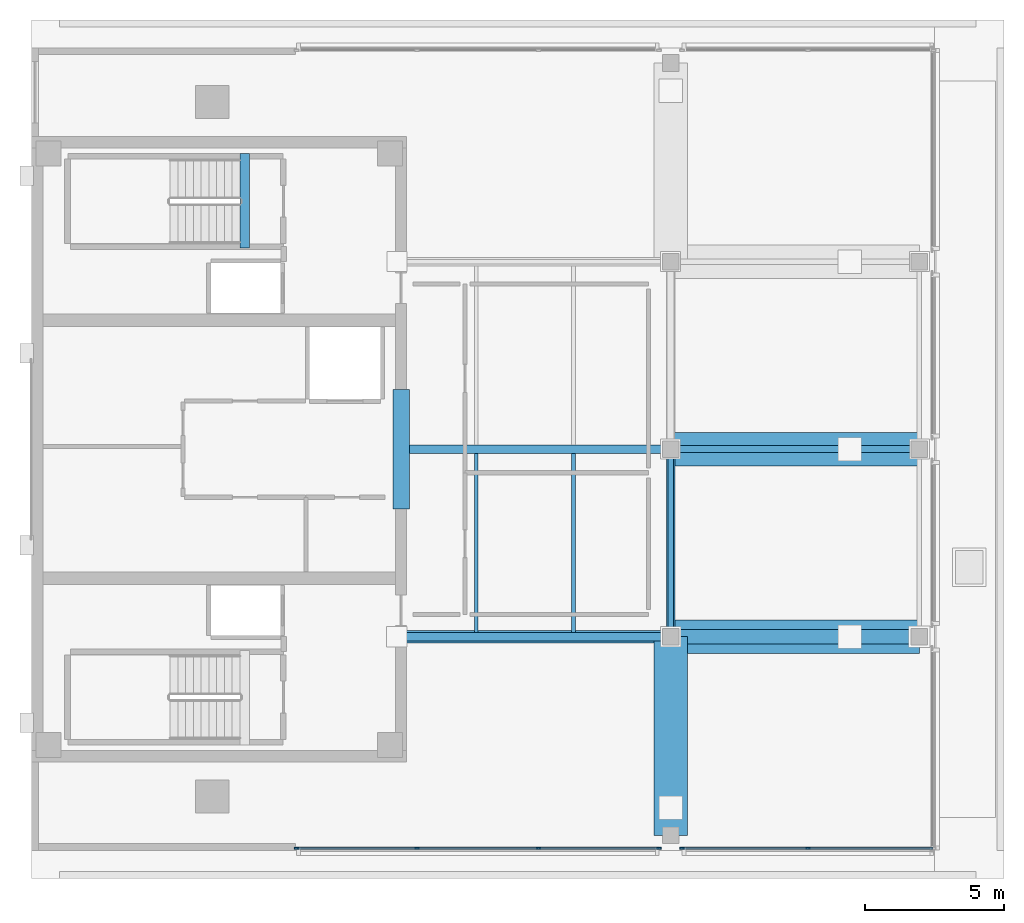
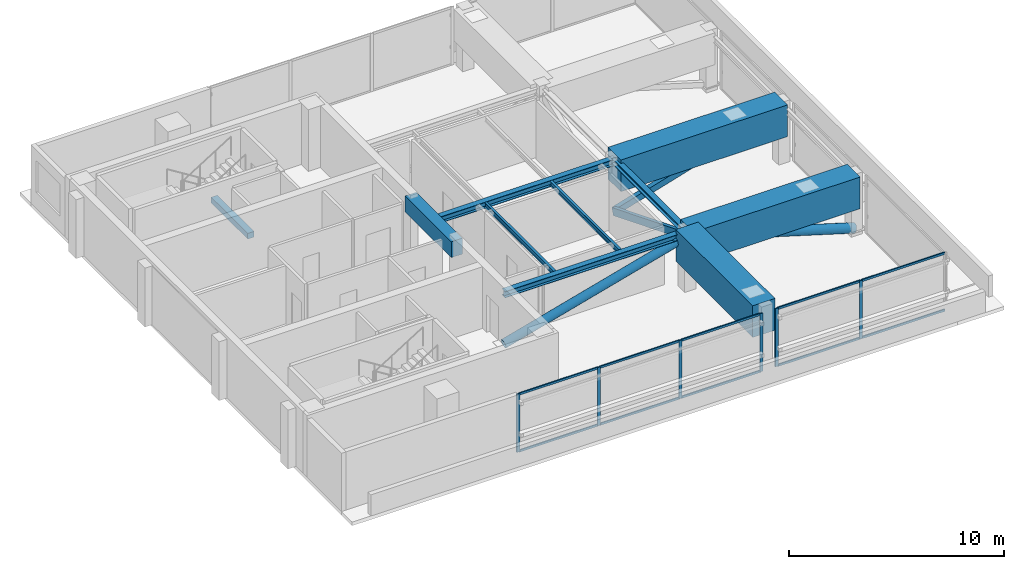
# One storey, part 2 of 10: 20 members, 10 beams, 2 elements without a shape of their own.
"""IFC4 building model written with IfcOpenShell, lengths in metres."""

import ifcopenshell
import ifcopenshell.guid

model = None  # the IFC model being written
_history = None  # IfcOwnerHistory: only IFC2X3 demands one
_inside = {}  # id of a spatial element -> (the spatial element, [elements in it])
_under = {}  # id of a project, library or spatial element -> (it, [spatial elements below it])
_declared = {}  # id of a project -> (the project, [libraries it declares])
_typed = {}  # id of a type object -> (the type object, [elements of that type])
_made_of = {}  # id of a material, layer set ... -> (it, [elements and type objects made of it])


def new_model(schema):
    """Start an empty IFC model of exactly this schema.

    Asked for "IFC4X3", IfcOpenShell would pick the latest addendum, in which some entities
    have other attributes; the version numbers below select the first issue.
    IFC2X3 requires an IfcOwnerHistory on every rooted entity: one is made here for all.
    """
    global model, _history
    if schema == "IFC4X3":
        model = ifcopenshell.file(schema_version=(4, 3, 0, 0))
    else:
        model = ifcopenshell.file(schema=schema)
    _inside.clear()
    _under.clear()
    _declared.clear()
    _typed.clear()
    _made_of.clear()
    _history = None
    if model.schema == "IFC2X3":
        org = make("IfcOrganization", Name="unknown")
        user = make(
            "IfcPersonAndOrganization",
            ThePerson=make("IfcPerson", FamilyName="unknown"),
            TheOrganization=org,
        )
        app = make(
            "IfcApplication",
            ApplicationDeveloper=org,
            Version="unknown",
            ApplicationFullName="unknown",
            ApplicationIdentifier="unknown",
        )
        _history = make(
            "IfcOwnerHistory",
            OwningUser=user,
            OwningApplication=app,
            ChangeAction="ADDED",
            CreationDate=0,
        )
    return model


def make(cls, **values):
    """One entity of the class cls with the attributes given. An attribute that is None is left unset."""
    return model.create_entity(
        cls, **{name: value for name, value in values.items() if value is not None}
    )


def rooted(cls, **values):
    """An entity with a GlobalId (a new one), such as an element, a storey or a relation."""
    return make(cls, GlobalId=ifcopenshell.guid.new(), OwnerHistory=_history, **values)


def si_unit(unit_type, name, prefix=None):
    """IfcSIUnit, for example si_unit("LENGTHUNIT", "METRE", prefix="MILLI")."""
    return make("IfcSIUnit", UnitType=unit_type, Prefix=prefix, Name=name)


def assignment(units):
    """IfcUnitAssignment: the units of a project."""
    return None if units is None else make("IfcUnitAssignment", Units=units)


def point(xyz):
    """IfcCartesianPoint."""
    return None if xyz is None else make("IfcCartesianPoint", Coordinates=xyz)


def direction(xyz):
    """IfcDirection."""
    return None if xyz is None else make("IfcDirection", DirectionRatios=xyz)


def frame(location, z_axis=None, x_axis=None):
    """IfcAxis2Placement3D, a coordinate frame: its origin and axes. An axis left out is left unset."""
    return make(
        "IfcAxis2Placement3D",
        Location=point(location),
        Axis=direction(z_axis),
        RefDirection=direction(x_axis),
    )


def frame_2d(location, x_axis=None):
    """IfcAxis2Placement2D, a coordinate frame in the plane: its origin and x axis."""
    return make(
        "IfcAxis2Placement2D", Location=point(location), RefDirection=direction(x_axis)
    )


def origin():
    """The frame at (0, 0, 0) with its axes left unset."""
    return frame((0.0, 0.0, 0.0))


def origin_2d():
    """The frame at (0, 0) in the plane with its x axis left unset."""
    return frame_2d((0.0, 0.0))


def place(relative_to, where):
    """IfcLocalPlacement: puts the frame where relative to a parent placement (None: the world)."""
    return make(
        "IfcLocalPlacement", PlacementRelTo=relative_to, RelativePlacement=where
    )


def context(
    kind, dimensions, precision=None, world=None, true_north=None, identifier=None
):
    """IfcGeometricRepresentationContext, for example the 3D "Model" context."""
    return make(
        "IfcGeometricRepresentationContext",
        ContextIdentifier=identifier,
        ContextType=kind,
        CoordinateSpaceDimension=dimensions,
        Precision=precision,
        WorldCoordinateSystem=world,
        TrueNorth=true_north,
    )


def subcontext(parent, identifier, kind, view, scale=None):
    """IfcGeometricRepresentationSubContext, for example "Body" below "Model"."""
    return make(
        "IfcGeometricRepresentationSubContext",
        ContextIdentifier=identifier,
        ContextType=kind,
        ParentContext=parent,
        TargetScale=scale,
        TargetView=view,
    )


def project(units=None, contexts=None):
    """IfcProject with its units and contexts."""
    return rooted(
        "IfcProject",
        Name="project",
        RepresentationContexts=contexts,
        UnitsInContext=assignment(units),
    )


def spatial(cls, under=None, at=None, **own):
    """A site, building, storey or space (cls), placed at a placement, below another one or the project."""
    s = rooted(cls, ObjectPlacement=at, **own)
    if under is not None:
        _under.setdefault(under.id(), (under, []))[1].append(s)
    return s


def profile(cls, at=None, kind="AREA", **sizes):
    """A parametric profile (cls). Its sizes go by their IFC names, for example OverallWidth=200.0."""
    return make(cls, ProfileType=kind, Position=at, **sizes)


def rectangle(**sizes):
    """IfcRectangleProfileDef."""
    return profile("IfcRectangleProfileDef", **sizes)


def hollow_rectangle(**sizes):
    """IfcRectangleHollowProfileDef."""
    return profile("IfcRectangleHollowProfileDef", **sizes)


def hollow_circle(**sizes):
    """IfcCircleHollowProfileDef."""
    return profile("IfcCircleHollowProfileDef", **sizes)


def i_section(**sizes):
    """IfcIShapeProfileDef."""
    return profile("IfcIShapeProfileDef", **sizes)


def extrude(swept, where, along, depth):
    """IfcExtrudedAreaSolid: the profile swept, set in the frame where, extruded along a direction by depth."""
    return make(
        "IfcExtrudedAreaSolid",
        SweptArea=swept,
        Position=where,
        ExtrudedDirection=direction(along),
        Depth=depth,
    )


def shape(context_of_items, identifier, shape_type, items):
    """IfcShapeRepresentation: the items that make up one representation, for example the "Body"."""
    return make(
        "IfcShapeRepresentation",
        ContextOfItems=context_of_items,
        RepresentationIdentifier=identifier,
        RepresentationType=shape_type,
        Items=items,
    )


def material(Name=None, Category=None):
    """IfcMaterial."""
    return make("IfcMaterial", Name=Name, Category=Category)


def layer(
    of_material, thickness, ventilated=None, Name=None, Category=None, Priority=None
):
    """IfcMaterialLayer: one layer of a wall or slab, of a material (None: an air gap)."""
    return make(
        "IfcMaterialLayer",
        Material=of_material,
        LayerThickness=thickness,
        IsVentilated=ventilated,
        Name=Name,
        Category=Category,
        Priority=Priority,
    )


def layer_set(layers, Name=None):
    """IfcMaterialLayerSet."""
    return make("IfcMaterialLayerSet", MaterialLayers=layers, LayerSetName=Name)


def material_profile(
    of_material, cross_section, Name=None, Category=None, Priority=None
):
    """IfcMaterialProfile: a cross section and its material."""
    return make(
        "IfcMaterialProfile",
        Name=Name,
        Material=of_material,
        Profile=cross_section,
        Priority=Priority,
        Category=Category,
    )


def profile_set(profiles, Name=None, composite=None):
    """IfcMaterialProfileSet."""
    return make(
        "IfcMaterialProfileSet",
        Name=Name,
        MaterialProfiles=profiles,
        CompositeProfile=composite,
    )


def made_of(thing, what):
    """Note that an element or type object is made of a material, layer set ...; save() writes the relation."""
    if what is not None:
        _made_of.setdefault(what.id(), (what, []))[1].append(thing)
    return thing


def type_object(cls, material=None, **own):
    """A type object (cls), such as IfcWallType, which elements share."""
    return made_of(rooted(cls, **own), material)


def element(
    cls,
    number,
    at=None,
    inside=None,
    cuts=None,
    type_object=None,
    material=None,
    context=None,
    identifier="Body",
    shape_type=None,
    held_by="IfcProductDefinitionShape",
    body=None,
    shapes=None,
    **own,
):
    """One element of the class cls, such as IfcWall. Its Tag is "e" and its number.

    at: its placement. inside: the storey or other place that contains it. cuts: it is an
    opening in that element (IfcRelVoidsElement). A single representation is given by context,
    identifier, shape_type and body (its items); several are given by shapes. held_by: the class
    of the entity that holds the representations. save() writes the other relations.
    """
    e = rooted(cls, Tag="e%d" % number, ObjectPlacement=at, **own)
    if body is not None:
        shapes = [shape(context, identifier, shape_type, body)]
    if shapes is not None:
        e.Representation = make(held_by, Representations=shapes)
    if inside is not None:
        _inside.setdefault(inside.id(), (inside, []))[1].append(e)
    if cuts is not None:
        rooted(
            "IfcRelVoidsElement", RelatingBuildingElement=cuts, RelatedOpeningElement=e
        )
    if type_object is not None:
        _typed.setdefault(type_object.id(), (type_object, []))[1].append(e)
    return made_of(e, material)


def aggregate(whole, parts):
    """IfcRelAggregates: a whole, such as a stair, and the parts it consists of."""
    return rooted("IfcRelAggregates", RelatingObject=whole, RelatedObjects=parts)


def save(model, path):
    """Write the relations noted so far, then the file.

    IfcRelAggregates (storeys below a building ...), IfcRelContainedInSpatialStructure (elements
    in a storey), IfcRelDefinesByType, IfcRelAssociatesMaterial and IfcRelDeclares: one each for
    every whole, place, type object, material and project.
    """
    for whole, parts in _under.values():
        aggregate(whole, parts)
    for where, things in _inside.values():
        rooted(
            "IfcRelContainedInSpatialStructure",
            RelatedElements=things,
            RelatingStructure=where,
        )
    for kind, things in _typed.values():
        rooted("IfcRelDefinesByType", RelatedObjects=things, RelatingType=kind)
    for what, things in _made_of.values():
        rooted("IfcRelAssociatesMaterial", RelatedObjects=things, RelatingMaterial=what)
    for by, libraries in _declared.values():
        rooted("IfcRelDeclares", RelatingContext=by, RelatedDefinitions=libraries)
    model.write(path)


model = new_model("IFC4")

# Units and contexts
model_context = context("Model", 3, precision=1e-05, world=origin(), true_north=direction((0.0, 1.0)))
body_context = subcontext(model_context, "Body", "Model", "MODEL_VIEW")
ifc_project = project(units=[si_unit("LENGTHUNIT", "METRE"), si_unit("AREAUNIT", "SQUARE_METRE"), si_unit("VOLUMEUNIT", "CUBIC_METRE"), si_unit("PLANEANGLEUNIT", "RADIAN"), si_unit("MASSUNIT", "GRAM", prefix="KILO")], contexts=[model_context])

# Site, building, storey
site_placement = place(None, origin())
site = spatial("IfcSite", under=ifc_project, at=site_placement, CompositionType="ELEMENT")
building_placement = place(site_placement, origin())
building = spatial("IfcBuilding", under=site, at=building_placement, Name="Kinhvarn Gate Tower", CompositionType="ELEMENT")
storey_placement = place(building_placement, frame((0.0, 0.0, 311.050048828125)))
storey = spatial("IfcBuildingStorey", under=building, at=storey_placement, Name="L82", CompositionType="ELEMENT", Elevation=311.050048828125)

# Beams
ifc_material_1 = material(Name="Concrete C60/75", Category="concrete")
ifc_material_profile_1 = material_profile(ifc_material_1, rectangle(XDim=0.60009765625, YDim=0.89990234375, at=origin_2d()), Name="RC 600x900")
ifc_profile_set_1 = profile_set([ifc_material_profile_1], Name="Concrete C60/75")
beam_type_1 = type_object("IfcBeamType", Name="BM-CB-900", PredefinedType="LINTEL", material=ifc_profile_set_1)
beam_1_placement = place(storey_placement, frame((17.800048828125, 23.10009765625, 2.849853515625), z_axis=(0.0, 1.0, 0.0), x_axis=(-1.0, 0.0, 0.0)))
element("IfcBeam", 1, at=beam_1_placement, inside=storey, type_object=beam_type_1, Name="Core East Portal Coupling Beam L82", PredefinedType="LINTEL", context=body_context, shape_type="SweptSolid", body=[
    extrude(rectangle(XDim=0.60009765625, YDim=0.89990234375, at=origin_2d()), origin(), (0.0, 0.0, 1.0), 4.2998046875),
])
ifc_material_2 = material(Name="Concrete C50/60", Category="concrete")
ifc_material_profile_2 = material_profile(ifc_material_2, rectangle(XDim=0.340087890625, YDim=0.320068359375, at=origin_2d()), Name="RC 340x320")
ifc_profile_set_2 = profile_set([ifc_material_profile_2], Name="Concrete C50/60")
beam_type_2 = type_object("IfcBeamType", Name="BM-LND-500", PredefinedType="BEAM", material=ifc_profile_set_2)
beam_2_placement = place(storey_placement, frame((12.1650390625, 32.5, -0.16015625), z_axis=(0.0, 1.0, 0.0), x_axis=(-1.0, 0.0, 0.0)))
element("IfcBeam", 2, at=beam_2_placement, inside=storey, type_object=beam_type_2, Name="Stair ST2 Landing Nosing Beam (L82)", PredefinedType="BEAM", context=body_context, shape_type="SweptSolid", body=[
    extrude(rectangle(XDim=0.340087890625, YDim=0.320068359375, at=origin_2d()), origin(), (0.0, 0.0, 1.0), 3.39990234375),
])
ifc_material_profile_3 = material_profile(ifc_material_2, rectangle(XDim=1.199951171875, YDim=1.800048828125, at=origin_2d()), Name="RC 1200x1800")
ifc_profile_set_3 = profile_set([ifc_material_profile_3], Name="Concrete C50/60")
beam_type_3 = type_object("IfcBeamType", Name="BM-TG-1800", PredefinedType="BEAM", material=ifc_profile_set_3)
for number, where, z_axis, x_axis, name in (
    (3, (27.5, 18.5, 2.599853515625), (1.0, 0.0, 0.0), (0.0, 1.0, 0.0), "Setback Transfer Girder TG-03-L83-CCR-E1"),
    (4, (27.5, 25.25, 2.599853515625), (1.0, 0.0, 0.0), (0.0, 1.0, 0.0), "Setback Transfer Girder TG-03-L83-CCR-E2"),
):
    element("IfcBeam", number, at=place(storey_placement, frame(where, z_axis=z_axis, x_axis=x_axis)), inside=storey, type_object=beam_type_3, Name=name, PredefinedType="BEAM", context=body_context, shape_type="SweptSolid", body=[
        extrude(rectangle(XDim=1.199951171875, YDim=1.800048828125, at=origin_2d()), origin(), (0.0, 0.0, 1.0), 8.949951171875),
    ])
beam_3_placement = place(storey_placement, frame((27.5, 11.35009765625, 2.599853515625), z_axis=(0.0, 1.0, 0.0), x_axis=(-1.0, 0.0, 0.0)))
element("IfcBeam", 5, at=beam_3_placement, inside=storey, type_object=beam_type_3, Name="Setback Transfer Girder TG-03-L83-CCR-S1", PredefinedType="BEAM", context=body_context, shape_type="SweptSolid", body=[
    extrude(rectangle(XDim=1.199951171875, YDim=1.800048828125, at=origin_2d()), origin(), (0.0, 0.0, 1.0), 7.14990234375),
])

# Curtain wall, members
ifc_material_3 = material(Name="Anodised aluminium AW-6063", Category="aluminium")
ifc_layer = layer(ifc_material_3, 0.199951171875)
ifc_layer_set = layer_set([ifc_layer], Name="Anodised aluminium AW-6063")
curtain_wall_type = type_object("IfcCurtainWallType", Name="CW-SYS-6", PredefinedType="NOTDEFINED", material=ifc_layer_set)
curtain_wall_1_placement = place(storey_placement, origin())
curtain_wall_1 = element("IfcCurtainWall", 6, at=curtain_wall_1_placement, inside=storey, type_object=curtain_wall_type, Name="Curtain Wall CW6 (L82)", PredefinedType="NOTDEFINED")
ifc_material_profile_4 = material_profile(ifc_material_3, rectangle(XDim=0.06494140625, YDim=0.159912109375, at=origin_2d()), Name="ALU 65x160")
ifc_profile_set_4 = profile_set([ifc_material_profile_4], Name="Anodised aluminium AW-6063")
member_type_1 = type_object("IfcMemberType", Name="CW-MUL-160", PredefinedType="MULLION", material=ifc_profile_set_4)
member_1_placement = place(storey_placement, frame((14.032470703125, 10.889892578125, 0.0), z_axis=(0.0, 0.0, 1.0), x_axis=(0.0, 1.0, 0.0)))
member_1 = element("IfcMember", 7, at=member_1_placement, type_object=member_type_1, Name="CW6 mullion 1", PredefinedType="MULLION", context=body_context, shape_type="SweptSolid", body=[
    extrude(rectangle(XDim=0.06494140625, YDim=0.159912109375, at=origin_2d()), origin(), (0.0, 0.0, 1.0), 3.300048828125),
])
member_2_placement = place(storey_placement, frame((18.373291015625, 10.889892578125, 0.0), z_axis=(0.0, 0.0, 1.0), x_axis=(0.0, 1.0, 0.0)))
member_2 = element("IfcMember", 8, at=member_2_placement, type_object=member_type_1, Name="CW6 mullion 2", PredefinedType="MULLION", context=body_context, shape_type="SweptSolid", body=[
    extrude(rectangle(XDim=0.06494140625, YDim=0.159912109375, at=origin_2d()), origin(), (0.0, 0.0, 1.0), 3.300048828125),
])
member_3_placement = place(storey_placement, frame((22.74658203125, 10.889892578125, 0.0), z_axis=(0.0, 0.0, 1.0), x_axis=(0.0, 1.0, 0.0)))
member_3 = element("IfcMember", 9, at=member_3_placement, type_object=member_type_1, Name="CW6 mullion 3", PredefinedType="MULLION", context=body_context, shape_type="SweptSolid", body=[
    extrude(rectangle(XDim=0.06494140625, YDim=0.159912109375, at=origin_2d()), origin(), (0.0, 0.0, 1.0), 3.300048828125),
])
member_4_placement = place(storey_placement, frame((27.08740234375, 10.889892578125, 0.0), z_axis=(0.0, 0.0, 1.0), x_axis=(0.0, 1.0, 0.0)))
member_4 = element("IfcMember", 10, at=member_4_placement, type_object=member_type_1, Name="CW6 mullion 4", PredefinedType="MULLION", context=body_context, shape_type="SweptSolid", body=[
    extrude(rectangle(XDim=0.06494140625, YDim=0.159912109375, at=origin_2d()), origin(), (0.0, 0.0, 1.0), 3.300048828125),
])

curtain_wall_2_placement = place(storey_placement, origin())
curtain_wall_2 = element("IfcCurtainWall", 11, at=curtain_wall_2_placement, inside=storey, type_object=curtain_wall_type, Name="Curtain Wall CW6 (L82)", PredefinedType="NOTDEFINED")
member_5_placement = place(storey_placement, frame((27.91259765625, 10.889892578125, 0.0), z_axis=(0.0, 0.0, 1.0), x_axis=(0.0, 1.0, 0.0)))
member_5 = element("IfcMember", 12, at=member_5_placement, type_object=member_type_1, Name="CW6 mullion 1", PredefinedType="MULLION", context=body_context, shape_type="SweptSolid", body=[
    extrude(rectangle(XDim=0.06494140625, YDim=0.159912109375, at=origin_2d()), origin(), (0.0, 0.0, 1.0), 3.300048828125),
])
member_6_placement = place(storey_placement, frame((32.43994140625, 10.889892578125, 0.0), z_axis=(0.0, 0.0, 1.0), x_axis=(0.0, 1.0, 0.0)))
member_6 = element("IfcMember", 13, at=member_6_placement, type_object=member_type_1, Name="CW6 mullion 2", PredefinedType="MULLION", context=body_context, shape_type="SweptSolid", body=[
    extrude(rectangle(XDim=0.06494140625, YDim=0.159912109375, at=origin_2d()), origin(), (0.0, 0.0, 1.0), 3.300048828125),
])

# Member
ifc_material_profile_5 = material_profile(ifc_material_3, rectangle(XDim=0.06494140625, YDim=0.1201171875, at=origin_2d()), Name="ALU 65x120")
ifc_profile_set_5 = profile_set([ifc_material_profile_5], Name="Anodised aluminium AW-6063")
member_type_2 = type_object("IfcMemberType", Name="CW-TRN-120", PredefinedType="USERDEFINED", material=ifc_profile_set_5)
member_7_placement = place(storey_placement, frame((14.06494140625, 10.889892578125, 0.032470703125), z_axis=(1.0, 0.0, 0.0), x_axis=(0.0, 1.0, 0.0)))
member_7 = element("IfcMember", 14, at=member_7_placement, type_object=member_type_2, Name="CW6 transom 1.1", ObjectType="TRANSOM", PredefinedType="USERDEFINED", context=body_context, shape_type="SweptSolid", body=[
    extrude(rectangle(XDim=0.06494140625, YDim=0.1201171875, at=origin_2d()), origin(), (0.0, 0.0, 1.0), 4.27587890625),
])

member_8_placement = place(storey_placement, frame((14.06494140625, 10.889892578125, 3.267333984375), z_axis=(1.0, 0.0, 0.0), x_axis=(0.0, 1.0, 0.0)))
member_8 = element("IfcMember", 15, at=member_8_placement, type_object=member_type_2, Name="CW6 transom 1.2", ObjectType="TRANSOM", PredefinedType="USERDEFINED", context=body_context, shape_type="SweptSolid", body=[
    extrude(rectangle(XDim=0.06494140625, YDim=0.1201171875, at=origin_2d()), origin(), (0.0, 0.0, 1.0), 4.27587890625),
])

member_9_placement = place(storey_placement, frame((18.40576171875, 10.889892578125, 0.032470703125), z_axis=(1.0, 0.0, 0.0), x_axis=(0.0, 1.0, 0.0)))
member_9 = element("IfcMember", 16, at=member_9_placement, type_object=member_type_2, Name="CW6 transom 2.1", ObjectType="TRANSOM", PredefinedType="USERDEFINED", context=body_context, shape_type="SweptSolid", body=[
    extrude(rectangle(XDim=0.06494140625, YDim=0.1201171875, at=origin_2d()), origin(), (0.0, 0.0, 1.0), 4.308349609375),
])

member_10_placement = place(storey_placement, frame((18.40576171875, 10.889892578125, 3.267333984375), z_axis=(1.0, 0.0, 0.0), x_axis=(0.0, 1.0, 0.0)))
member_10 = element("IfcMember", 17, at=member_10_placement, type_object=member_type_2, Name="CW6 transom 2.2", ObjectType="TRANSOM", PredefinedType="USERDEFINED", context=body_context, shape_type="SweptSolid", body=[
    extrude(rectangle(XDim=0.06494140625, YDim=0.1201171875, at=origin_2d()), origin(), (0.0, 0.0, 1.0), 4.308349609375),
])

member_11_placement = place(storey_placement, frame((22.779052734375, 10.889892578125, 0.032470703125), z_axis=(1.0, 0.0, 0.0), x_axis=(0.0, 1.0, 0.0)))
member_11 = element("IfcMember", 18, at=member_11_placement, type_object=member_type_2, Name="CW6 transom 3.1", ObjectType="TRANSOM", PredefinedType="USERDEFINED", context=body_context, shape_type="SweptSolid", body=[
    extrude(rectangle(XDim=0.06494140625, YDim=0.1201171875, at=origin_2d()), origin(), (0.0, 0.0, 1.0), 4.27587890625),
])

member_12_placement = place(storey_placement, frame((22.779052734375, 10.889892578125, 3.267333984375), z_axis=(1.0, 0.0, 0.0), x_axis=(0.0, 1.0, 0.0)))
member_12 = element("IfcMember", 19, at=member_12_placement, type_object=member_type_2, Name="CW6 transom 3.2", ObjectType="TRANSOM", PredefinedType="USERDEFINED", context=body_context, shape_type="SweptSolid", body=[
    extrude(rectangle(XDim=0.06494140625, YDim=0.1201171875, at=origin_2d()), origin(), (0.0, 0.0, 1.0), 4.27587890625),
])

aggregate(curtain_wall_1, [member_1, member_2, member_3, member_4, member_7, member_8, member_9, member_10, member_11, member_12])

member_13_placement = place(storey_placement, frame((27.945068359375, 10.889892578125, 0.032470703125), z_axis=(1.0, 0.0, 0.0), x_axis=(0.0, 1.0, 0.0)))
member_13 = element("IfcMember", 20, at=member_13_placement, type_object=member_type_2, Name="CW6 transom 1.1", ObjectType="TRANSOM", PredefinedType="USERDEFINED", context=body_context, shape_type="SweptSolid", body=[
    extrude(rectangle(XDim=0.06494140625, YDim=0.1201171875, at=origin_2d()), origin(), (0.0, 0.0, 1.0), 4.46240234375),
])

member_14_placement = place(storey_placement, frame((27.945068359375, 10.889892578125, 3.267333984375), z_axis=(1.0, 0.0, 0.0), x_axis=(0.0, 1.0, 0.0)))
member_14 = element("IfcMember", 21, at=member_14_placement, type_object=member_type_2, Name="CW6 transom 1.2", ObjectType="TRANSOM", PredefinedType="USERDEFINED", context=body_context, shape_type="SweptSolid", body=[
    extrude(rectangle(XDim=0.06494140625, YDim=0.1201171875, at=origin_2d()), origin(), (0.0, 0.0, 1.0), 4.46240234375),
])

member_15_placement = place(storey_placement, frame((32.472412109375, 10.889892578125, 0.032470703125), z_axis=(1.0, 0.0, 0.0), x_axis=(0.0, 1.0, 0.0)))
member_15 = element("IfcMember", 22, at=member_15_placement, type_object=member_type_2, Name="CW6 transom 2.1", ObjectType="TRANSOM", PredefinedType="USERDEFINED", context=body_context, shape_type="SweptSolid", body=[
    extrude(rectangle(XDim=0.06494140625, YDim=0.1201171875, at=origin_2d()), origin(), (0.0, 0.0, 1.0), 4.462646484375),
])

member_16_placement = place(storey_placement, frame((32.472412109375, 10.889892578125, 3.267333984375), z_axis=(1.0, 0.0, 0.0), x_axis=(0.0, 1.0, 0.0)))
member_16 = element("IfcMember", 23, at=member_16_placement, type_object=member_type_2, Name="CW6 transom 2.2", ObjectType="TRANSOM", PredefinedType="USERDEFINED", context=body_context, shape_type="SweptSolid", body=[
    extrude(rectangle(XDim=0.06494140625, YDim=0.1201171875, at=origin_2d()), origin(), (0.0, 0.0, 1.0), 4.462646484375),
])

aggregate(curtain_wall_2, [member_5, member_6, member_13, member_14, member_15, member_16])

# Members
ifc_material_4 = material(Name="Steel S355", Category="steel")
ifc_material_profile_6 = material_profile(ifc_material_4, hollow_circle(Radius=0.228515625, WallThickness=0.02001953125, at=origin_2d()), Name="CHS 457x20")
ifc_profile_set_6 = profile_set([ifc_material_profile_6], Name="Steel S355")
member_type_3 = type_object("IfcMemberType", Name="MBR-CHS457x20", PredefinedType="STRUT", material=ifc_profile_set_6)
member_17_placement = place(storey_placement, frame((17.64990234375, 18.5, 0.25), z_axis=(0.964425984985, 0.0, 0.264353020571), x_axis=(0.0, 1.0, 0.0)))
element("IfcMember", 24, at=member_17_placement, inside=storey, type_object=member_type_3, Name="Crown Frame Strut SR-15 (CHS 457x20)", PredefinedType="STRUT", context=body_context, shape_type="SweptSolid", body=[
    extrude(hollow_circle(Radius=0.228515625, WallThickness=0.02001953125, at=origin_2d()), origin(), (0.0, 0.0, 1.0), 10.21337890625),
])
ifc_material_profile_7 = material_profile(ifc_material_4, hollow_circle(Radius=0.25390625, WallThickness=0.02490234375, at=origin_2d()), Name="CHS 508x25")
ifc_profile_set_7 = profile_set([ifc_material_profile_7], Name="Steel S355")
member_type_4 = type_object("IfcMemberType", Name="MBR-CHS508x25", PredefinedType="STRUT", material=ifc_profile_set_7)
member_18_placement = place(storey_placement, frame((27.5, 18.5, 2.949951171875), z_axis=(0.957384542381, 0.0, -0.288816270334), x_axis=(0.0, 1.0, 0.0)))
element("IfcMember", 25, at=member_18_placement, inside=storey, type_object=member_type_4, Name="Crown Frame Strut SR-16 (CHS 508x25)", PredefinedType="STRUT", context=body_context, shape_type="SweptSolid", body=[
    extrude(hollow_circle(Radius=0.25390625, WallThickness=0.02490234375, at=origin_2d()), origin(), (0.0, 0.0, 1.0), 9.348388671875),
])
ifc_material_profile_8 = material_profile(ifc_material_4, hollow_rectangle(XDim=0.25, YDim=0.35009765625, WallThickness=0.01611328125, at=origin_2d()), Name="RHS 350x250x16")
ifc_profile_set_8 = profile_set([ifc_material_profile_8], Name="Steel S355")
member_type_5 = type_object("IfcMemberType", Name="MBR-RHS350x250x16", PredefinedType="BRACE", material=ifc_profile_set_8)
member_19_placement = place(storey_placement, frame((27.5, 25.25, 0.25), z_axis=(0.957384542381, 0.0, 0.288816270334), x_axis=(0.0, 1.0, 0.0)))
element("IfcMember", 26, at=member_19_placement, inside=storey, type_object=member_type_5, Name="Crown Frame Strut BR-03 (RHS 350x250x16)", PredefinedType="BRACE", context=body_context, shape_type="SweptSolid", body=[
    extrude(hollow_rectangle(XDim=0.25, YDim=0.35009765625, WallThickness=0.01611328125, at=origin_2d()), origin(), (0.0, 0.0, 1.0), 9.348388671875),
])
ifc_material_profile_9 = material_profile(ifc_material_4, hollow_rectangle(XDim=0.199951171875, YDim=0.39990234375, WallThickness=0.01611328125, at=origin_2d()), Name="RHS 400x200x16")
ifc_profile_set_9 = profile_set([ifc_material_profile_9], Name="Steel S355")
member_type_6 = type_object("IfcMemberType", Name="MBR-RHS400x200x16", PredefinedType="BRACE", material=ifc_profile_set_9)
member_20_placement = place(storey_placement, frame((27.5, 18.5, 2.949951171875), z_axis=(0.0, 0.928479006877, -0.371384886323), x_axis=(-1.0, 0.0, 0.0)))
element("IfcMember", 27, at=member_20_placement, inside=storey, type_object=member_type_6, Name="Crown Frame Strut BR-04 (RHS 400x200x16)", PredefinedType="BRACE", context=body_context, shape_type="SweptSolid", body=[
    extrude(hollow_rectangle(XDim=0.199951171875, YDim=0.39990234375, WallThickness=0.01611328125, at=origin_2d()), origin(), (0.0, 0.0, 1.0), 7.27001953125),
])

# Beams
ifc_material_profile_10 = material_profile(ifc_material_4, i_section(OverallWidth=0.300048828125, OverallDepth=0.300048828125, WebThickness=0.010986328125, FlangeThickness=0.01904296875, at=origin_2d()), Name="HEB 300")
ifc_profile_set_10 = profile_set([ifc_material_profile_10], Name="Steel S355")
beam_type_4 = type_object("IfcBeamType", Name="STL-HEB300", PredefinedType="BEAM", material=ifc_profile_set_10)
beam_4_placement = place(storey_placement, frame((27.5, 18.5, 3.14990234375), z_axis=(0.0, 1.0, 0.0), x_axis=(-1.0, 0.0, 0.0)))
element("IfcBeam", 28, at=beam_4_placement, inside=storey, type_object=beam_type_4, Name="Floor Beam PG-10 (L82 CR-NS-M1)", PredefinedType="BEAM", context=body_context, shape_type="SweptSolid", body=[
    extrude(i_section(OverallWidth=0.300048828125, OverallDepth=0.300048828125, WebThickness=0.010986328125, FlangeThickness=0.01904296875, at=origin_2d()), origin(), (0.0, 0.0, 1.0), 6.75),
])
ifc_material_profile_11 = material_profile(ifc_material_4, i_section(OverallWidth=0.300048828125, OverallDepth=0.360107421875, WebThickness=0.012451171875, FlangeThickness=0.0224609375, at=origin_2d()), Name="HEB 360")
ifc_profile_set_11 = profile_set([ifc_material_profile_11], Name="Steel S355")
beam_type_5 = type_object("IfcBeamType", Name="STL-HEB360", PredefinedType="BEAM", material=ifc_profile_set_11)
beam_5_placement = place(storey_placement, frame((17.64990234375, 18.5, 3.119873046875), z_axis=(1.0, 0.0, 0.0), x_axis=(0.0, 1.0, 0.0)))
element("IfcBeam", 29, at=beam_5_placement, inside=storey, type_object=beam_type_5, Name="Floor Beam PG-11 (L82 CR-EW1-18)", PredefinedType="BEAM", context=body_context, shape_type="SweptSolid", body=[
    extrude(i_section(OverallWidth=0.300048828125, OverallDepth=0.360107421875, WebThickness=0.012451171875, FlangeThickness=0.0224609375, at=origin_2d()), origin(), (0.0, 0.0, 1.0), 9.85009765625),
])
beam_6_placement = place(storey_placement, frame((18.10009765625, 25.25, 3.119873046875), z_axis=(1.0, 0.0, 0.0), x_axis=(0.0, 1.0, 0.0)))
element("IfcBeam", 30, at=beam_6_placement, inside=storey, type_object=beam_type_5, Name="Floor Beam PG-11 (L82 CR-EW1-25)", PredefinedType="BEAM", context=body_context, shape_type="SweptSolid", body=[
    extrude(i_section(OverallWidth=0.300048828125, OverallDepth=0.360107421875, WebThickness=0.012451171875, FlangeThickness=0.0224609375, at=origin_2d()), origin(), (0.0, 0.0, 1.0), 9.39990234375),
])
ifc_material_profile_12 = material_profile(ifc_material_4, i_section(OverallWidth=0.135009765625, OverallDepth=0.27001953125, WebThickness=0.006591796875, FlangeThickness=0.01025390625, at=origin_2d()), Name="IPE 270")
ifc_profile_set_12 = profile_set([ifc_material_profile_12], Name="Steel S355")
beam_type_6 = type_object("IfcBeamType", Name="STL-IPE270", PredefinedType="JOIST", material=ifc_profile_set_12)
for number, where, z_axis, x_axis, name in (
    (31, (20.5, 18.64990234375, 3.1650390625), (0.0, 1.0, 0.0), (-1.0, 0.0, 0.0), "Floor Joist SB-01 (L82 CR-J1-205)"),
    (32, (24.0, 18.64990234375, 3.1650390625), (0.0, 1.0, 0.0), (-1.0, 0.0, 0.0), "Floor Joist SB-01 (L82 CR-J1-240)"),
):
    element("IfcBeam", number, at=place(storey_placement, frame(where, z_axis=z_axis, x_axis=x_axis)), inside=storey, type_object=beam_type_6, Name=name, PredefinedType="JOIST", context=body_context, shape_type="SweptSolid", body=[
        extrude(i_section(OverallWidth=0.135009765625, OverallDepth=0.27001953125, WebThickness=0.006591796875, FlangeThickness=0.01025390625, at=origin_2d()), origin(), (0.0, 0.0, 1.0), 6.4501953125),
    ])

save(model, "model.ifc")
